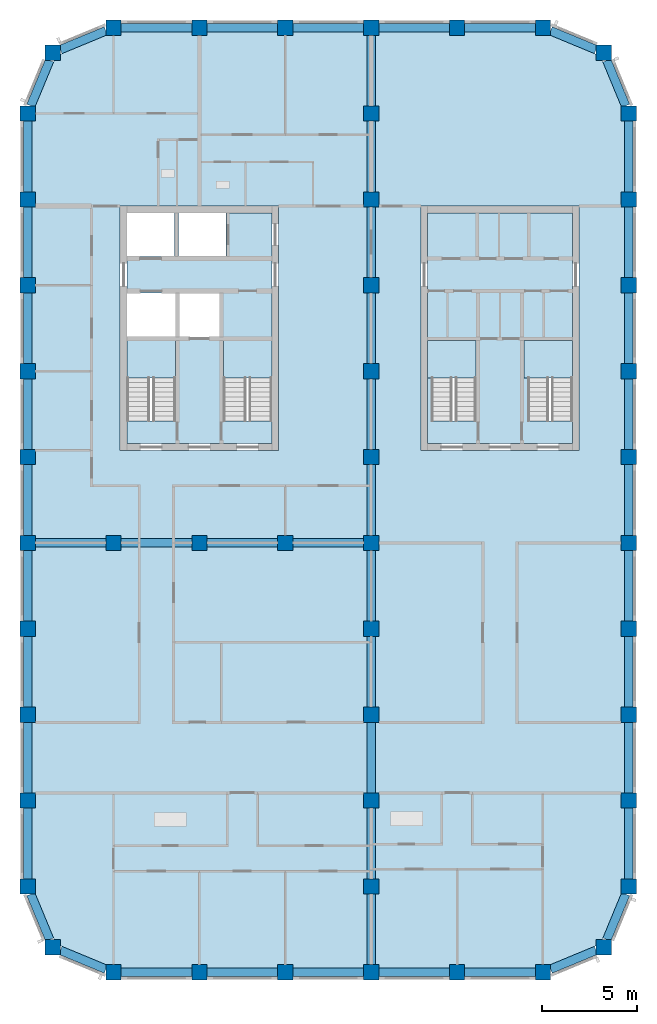
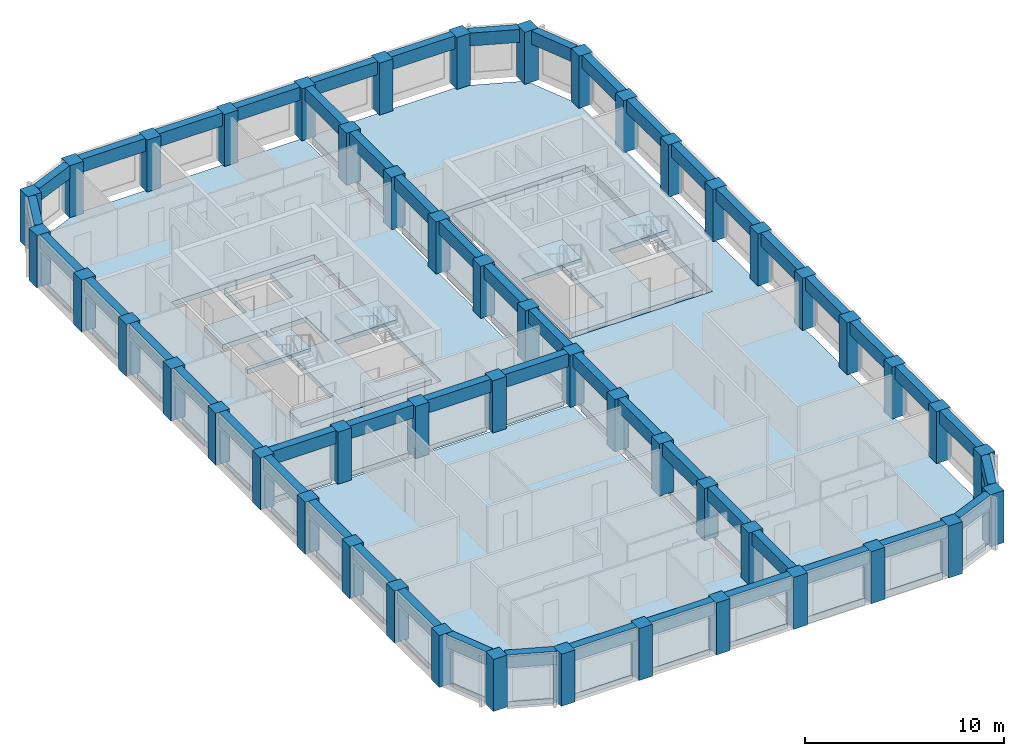
# One storey, part 1 of 10: 51 beams, 49 columns, 9 slabs, 4 elements without a shape of their own.
"""IFC4 building model written with IfcOpenShell, lengths in metres."""

import ifcopenshell
import ifcopenshell.guid

model = None  # the IFC model being written
_history = None  # IfcOwnerHistory: only IFC2X3 demands one
_inside = {}  # id of a spatial element -> (the spatial element, [elements in it])
_under = {}  # id of a project, library or spatial element -> (it, [spatial elements below it])
_declared = {}  # id of a project -> (the project, [libraries it declares])
_typed = {}  # id of a type object -> (the type object, [elements of that type])
_made_of = {}  # id of a material, layer set ... -> (it, [elements and type objects made of it])


def new_model(schema):
    """Start an empty IFC model of exactly this schema.

    Asked for "IFC4X3", IfcOpenShell would pick the latest addendum, in which some entities
    have other attributes; the version numbers below select the first issue.
    IFC2X3 requires an IfcOwnerHistory on every rooted entity: one is made here for all.
    """
    global model, _history
    if schema == "IFC4X3":
        model = ifcopenshell.file(schema_version=(4, 3, 0, 0))
    else:
        model = ifcopenshell.file(schema=schema)
    _inside.clear()
    _under.clear()
    _declared.clear()
    _typed.clear()
    _made_of.clear()
    _history = None
    if model.schema == "IFC2X3":
        org = make("IfcOrganization", Name="unknown")
        user = make(
            "IfcPersonAndOrganization",
            ThePerson=make("IfcPerson", FamilyName="unknown"),
            TheOrganization=org,
        )
        app = make(
            "IfcApplication",
            ApplicationDeveloper=org,
            Version="unknown",
            ApplicationFullName="unknown",
            ApplicationIdentifier="unknown",
        )
        _history = make(
            "IfcOwnerHistory",
            OwningUser=user,
            OwningApplication=app,
            ChangeAction="ADDED",
            CreationDate=0,
        )
    return model


def make(cls, **values):
    """One entity of the class cls with the attributes given. An attribute that is None is left unset."""
    return model.create_entity(
        cls, **{name: value for name, value in values.items() if value is not None}
    )


def rooted(cls, **values):
    """An entity with a GlobalId (a new one), such as an element, a storey or a relation."""
    return make(cls, GlobalId=ifcopenshell.guid.new(), OwnerHistory=_history, **values)


def si_unit(unit_type, name, prefix=None):
    """IfcSIUnit, for example si_unit("LENGTHUNIT", "METRE", prefix="MILLI")."""
    return make("IfcSIUnit", UnitType=unit_type, Prefix=prefix, Name=name)


def assignment(units):
    """IfcUnitAssignment: the units of a project."""
    return None if units is None else make("IfcUnitAssignment", Units=units)


def point(xyz):
    """IfcCartesianPoint."""
    return None if xyz is None else make("IfcCartesianPoint", Coordinates=xyz)


def direction(xyz):
    """IfcDirection."""
    return None if xyz is None else make("IfcDirection", DirectionRatios=xyz)


def frame(location, z_axis=None, x_axis=None):
    """IfcAxis2Placement3D, a coordinate frame: its origin and axes. An axis left out is left unset."""
    return make(
        "IfcAxis2Placement3D",
        Location=point(location),
        Axis=direction(z_axis),
        RefDirection=direction(x_axis),
    )


def frame_2d(location, x_axis=None):
    """IfcAxis2Placement2D, a coordinate frame in the plane: its origin and x axis."""
    return make(
        "IfcAxis2Placement2D", Location=point(location), RefDirection=direction(x_axis)
    )


def origin():
    """The frame at (0, 0, 0) with its axes left unset."""
    return frame((0.0, 0.0, 0.0))


def origin_2d():
    """The frame at (0, 0) in the plane with its x axis left unset."""
    return frame_2d((0.0, 0.0))


def place(relative_to, where):
    """IfcLocalPlacement: puts the frame where relative to a parent placement (None: the world)."""
    return make(
        "IfcLocalPlacement", PlacementRelTo=relative_to, RelativePlacement=where
    )


def context(
    kind, dimensions, precision=None, world=None, true_north=None, identifier=None
):
    """IfcGeometricRepresentationContext, for example the 3D "Model" context."""
    return make(
        "IfcGeometricRepresentationContext",
        ContextIdentifier=identifier,
        ContextType=kind,
        CoordinateSpaceDimension=dimensions,
        Precision=precision,
        WorldCoordinateSystem=world,
        TrueNorth=true_north,
    )


def subcontext(parent, identifier, kind, view, scale=None):
    """IfcGeometricRepresentationSubContext, for example "Body" below "Model"."""
    return make(
        "IfcGeometricRepresentationSubContext",
        ContextIdentifier=identifier,
        ContextType=kind,
        ParentContext=parent,
        TargetScale=scale,
        TargetView=view,
    )


def project(units=None, contexts=None):
    """IfcProject with its units and contexts."""
    return rooted(
        "IfcProject",
        Name="project",
        RepresentationContexts=contexts,
        UnitsInContext=assignment(units),
    )


def spatial(cls, under=None, at=None, **own):
    """A site, building, storey or space (cls), placed at a placement, below another one or the project."""
    s = rooted(cls, ObjectPlacement=at, **own)
    if under is not None:
        _under.setdefault(under.id(), (under, []))[1].append(s)
    return s


def polyline(points):
    """IfcPolyline through the points."""
    return make("IfcPolyline", Points=[point(p) for p in points])


def profile(cls, at=None, kind="AREA", **sizes):
    """A parametric profile (cls). Its sizes go by their IFC names, for example OverallWidth=200.0."""
    return make(cls, ProfileType=kind, Position=at, **sizes)


def rectangle(**sizes):
    """IfcRectangleProfileDef."""
    return profile("IfcRectangleProfileDef", **sizes)


def outline(outer, holes=None, kind="AREA"):
    """IfcArbitraryClosedProfileDef: a profile drawn as a closed curve; with holes, ...WithVoids."""
    if holes is None:
        return make("IfcArbitraryClosedProfileDef", ProfileType=kind, OuterCurve=outer)
    return make(
        "IfcArbitraryProfileDefWithVoids",
        ProfileType=kind,
        OuterCurve=outer,
        InnerCurves=holes,
    )


def extrude(swept, where, along, depth):
    """IfcExtrudedAreaSolid: the profile swept, set in the frame where, extruded along a direction by depth."""
    return make(
        "IfcExtrudedAreaSolid",
        SweptArea=swept,
        Position=where,
        ExtrudedDirection=direction(along),
        Depth=depth,
    )


def shape(context_of_items, identifier, shape_type, items):
    """IfcShapeRepresentation: the items that make up one representation, for example the "Body"."""
    return make(
        "IfcShapeRepresentation",
        ContextOfItems=context_of_items,
        RepresentationIdentifier=identifier,
        RepresentationType=shape_type,
        Items=items,
    )


def material(Name=None, Category=None):
    """IfcMaterial."""
    return make("IfcMaterial", Name=Name, Category=Category)


def layer(
    of_material, thickness, ventilated=None, Name=None, Category=None, Priority=None
):
    """IfcMaterialLayer: one layer of a wall or slab, of a material (None: an air gap)."""
    return make(
        "IfcMaterialLayer",
        Material=of_material,
        LayerThickness=thickness,
        IsVentilated=ventilated,
        Name=Name,
        Category=Category,
        Priority=Priority,
    )


def layer_set(layers, Name=None):
    """IfcMaterialLayerSet."""
    return make("IfcMaterialLayerSet", MaterialLayers=layers, LayerSetName=Name)


def material_profile(
    of_material, cross_section, Name=None, Category=None, Priority=None
):
    """IfcMaterialProfile: a cross section and its material."""
    return make(
        "IfcMaterialProfile",
        Name=Name,
        Material=of_material,
        Profile=cross_section,
        Priority=Priority,
        Category=Category,
    )


def profile_set(profiles, Name=None, composite=None):
    """IfcMaterialProfileSet."""
    return make(
        "IfcMaterialProfileSet",
        Name=Name,
        MaterialProfiles=profiles,
        CompositeProfile=composite,
    )


def made_of(thing, what):
    """Note that an element or type object is made of a material, layer set ...; save() writes the relation."""
    if what is not None:
        _made_of.setdefault(what.id(), (what, []))[1].append(thing)
    return thing


def type_object(cls, material=None, **own):
    """A type object (cls), such as IfcWallType, which elements share."""
    return made_of(rooted(cls, **own), material)


def element(
    cls,
    number,
    at=None,
    inside=None,
    cuts=None,
    type_object=None,
    material=None,
    context=None,
    identifier="Body",
    shape_type=None,
    held_by="IfcProductDefinitionShape",
    body=None,
    shapes=None,
    **own,
):
    """One element of the class cls, such as IfcWall. Its Tag is "e" and its number.

    at: its placement. inside: the storey or other place that contains it. cuts: it is an
    opening in that element (IfcRelVoidsElement). A single representation is given by context,
    identifier, shape_type and body (its items); several are given by shapes. held_by: the class
    of the entity that holds the representations. save() writes the other relations.
    """
    e = rooted(cls, Tag="e%d" % number, ObjectPlacement=at, **own)
    if body is not None:
        shapes = [shape(context, identifier, shape_type, body)]
    if shapes is not None:
        e.Representation = make(held_by, Representations=shapes)
    if inside is not None:
        _inside.setdefault(inside.id(), (inside, []))[1].append(e)
    if cuts is not None:
        rooted(
            "IfcRelVoidsElement", RelatingBuildingElement=cuts, RelatedOpeningElement=e
        )
    if type_object is not None:
        _typed.setdefault(type_object.id(), (type_object, []))[1].append(e)
    return made_of(e, material)


def aggregate(whole, parts):
    """IfcRelAggregates: a whole, such as a stair, and the parts it consists of."""
    return rooted("IfcRelAggregates", RelatingObject=whole, RelatedObjects=parts)


def save(model, path):
    """Write the relations noted so far, then the file.

    IfcRelAggregates (storeys below a building ...), IfcRelContainedInSpatialStructure (elements
    in a storey), IfcRelDefinesByType, IfcRelAssociatesMaterial and IfcRelDeclares: one each for
    every whole, place, type object, material and project.
    """
    for whole, parts in _under.values():
        aggregate(whole, parts)
    for where, things in _inside.values():
        rooted(
            "IfcRelContainedInSpatialStructure",
            RelatedElements=things,
            RelatingStructure=where,
        )
    for kind, things in _typed.values():
        rooted("IfcRelDefinesByType", RelatedObjects=things, RelatingType=kind)
    for what, things in _made_of.values():
        rooted("IfcRelAssociatesMaterial", RelatedObjects=things, RelatingMaterial=what)
    for by, libraries in _declared.values():
        rooted("IfcRelDeclares", RelatingContext=by, RelatedDefinitions=libraries)
    model.write(path)


model = new_model("IFC4")

# Units and contexts
model_context = context("Model", 3, precision=1e-05, world=origin(), true_north=direction((0.0, 1.0)))
body_context = subcontext(model_context, "Body", "Model", "MODEL_VIEW")
ifc_project = project(units=[si_unit("LENGTHUNIT", "METRE"), si_unit("AREAUNIT", "SQUARE_METRE"), si_unit("VOLUMEUNIT", "CUBIC_METRE"), si_unit("PLANEANGLEUNIT", "RADIAN"), si_unit("MASSUNIT", "GRAM", prefix="KILO")], contexts=[model_context])

# Site, building, storey
site_placement = place(None, origin())
site = spatial("IfcSite", under=ifc_project, at=site_placement, CompositionType="ELEMENT")
building_placement = place(site_placement, origin())
building = spatial("IfcBuilding", under=site, at=building_placement, Name="Girih Gate Residences", CompositionType="ELEMENT")
storey_placement = place(building_placement, frame((0.0, 0.0, 229.294921875)))
storey = spatial("IfcBuildingStorey", under=building, at=storey_placement, Name="L64", CompositionType="ELEMENT", Elevation=229.294921875)

# Columns
ifc_material_1 = material(Name="Concrete C60/75", Category="concrete")
ifc_material_profile_1 = material_profile(ifc_material_1, rectangle(XDim=0.800048828125, YDim=0.800048828125, at=origin_2d()))
ifc_profile_set_1 = profile_set([ifc_material_profile_1], Name="Concrete C60/75")
column_type = type_object("IfcColumnType", Name="Pier RC 800x800 Concrete C60/75", PredefinedType="COLUMN", material=ifc_profile_set_1)
for number, where, z_axis, x_axis, name in (
    (1, (4.5, 0.0, 0.0), (0.0, 0.0, 1.0), (1.0, 0.0, 0.0), "Pier P2A L64"),
    (2, (9.0, 0.0, 0.0), (0.0, 0.0, 1.0), (1.0, 0.0, 0.0), "Pier P3A L64"),
    (3, (13.5, 0.0, 0.0), (0.0, 0.0, 1.0), (1.0, 0.0, 0.0), "Pier P4A L64"),
    (4, (18.0, 0.0, 0.0), (0.0, 0.0, 1.0), (1.0, 0.0, 0.0), "Pier P5A L64"),
    (5, (22.5, 0.0, 0.0), (0.0, 0.0, 1.0), (1.0, 0.0, 0.0), "Pier P6A L64"),
    (6, (27.0, 0.0, 0.0), (0.0, 0.0, 1.0), (1.0, 0.0, 0.0), "Pier P7A L64"),
    (7, (1.318115234375, 1.318115234375, 0.0), (0.0, 0.0, 1.0), (1.0, 0.0, 0.0), "Pier P1ANE L64"),
    (8, (30.181884765625, 1.318115234375, 0.0), (0.0, 0.0, 1.0), (1.0, 0.0, 0.0), "Pier P8ANW L64"),
    (9, (0.0, 4.5, 0.0), (0.0, 0.0, 1.0), (1.0, 0.0, 0.0), "Pier P1B L64"),
    (10, (18.0, 4.5, 0.0), (0.0, 0.0, 1.0), (1.0, 0.0, 0.0), "Pier P5B L64"),
    (11, (31.5, 4.5, 0.0), (0.0, 0.0, 1.0), (1.0, 0.0, 0.0), "Pier P8B L64"),
    (12, (0.0, 9.0, 0.0), (0.0, 0.0, 1.0), (1.0, 0.0, 0.0), "Pier P1C L64"),
    (13, (18.0, 9.0, 0.0), (0.0, 0.0, 1.0), (1.0, 0.0, 0.0), "Pier P5C L64"),
    (14, (31.5, 9.0, 0.0), (0.0, 0.0, 1.0), (1.0, 0.0, 0.0), "Pier P8C L64"),
    (15, (0.0, 13.5, 0.0), (0.0, 0.0, 1.0), (1.0, 0.0, 0.0), "Pier P1D L64"),
    (16, (18.0, 13.5, 0.0), (0.0, 0.0, 1.0), (1.0, 0.0, 0.0), "Pier P5D L64"),
    (17, (31.5, 13.5, 0.0), (0.0, 0.0, 1.0), (1.0, 0.0, 0.0), "Pier P8D L64"),
    (18, (0.0, 18.0, 0.0), (0.0, 0.0, 1.0), (1.0, 0.0, 0.0), "Pier P1E L64"),
    (19, (18.0, 18.0, 0.0), (0.0, 0.0, 1.0), (1.0, 0.0, 0.0), "Pier P5E L64"),
    (20, (31.5, 18.0, 0.0), (0.0, 0.0, 1.0), (1.0, 0.0, 0.0), "Pier P8E L64"),
    (21, (0.0, 22.5, 0.0), (0.0, 0.0, 1.0), (1.0, 0.0, 0.0), "Pier P1F L64"),
    (22, (4.5, 22.5, 0.0), (0.0, 0.0, 1.0), (1.0, 0.0, 0.0), "Pier P2F L64"),
    (23, (9.0, 22.5, 0.0), (0.0, 0.0, 1.0), (1.0, 0.0, 0.0), "Pier P3F L64"),
    (24, (13.5, 22.5, 0.0), (0.0, 0.0, 1.0), (1.0, 0.0, 0.0), "Pier P4F L64"),
    (25, (18.0, 22.5, 0.0), (0.0, 0.0, 1.0), (1.0, 0.0, 0.0), "Pier P5F L64"),
    (26, (31.5, 22.5, 0.0), (0.0, 0.0, 1.0), (1.0, 0.0, 0.0), "Pier P8F L64"),
    (27, (0.0, 27.0, 0.0), (0.0, 0.0, 1.0), (1.0, 0.0, 0.0), "Pier P1G L64"),
    (28, (18.0, 27.0, 0.0), (0.0, 0.0, 1.0), (1.0, 0.0, 0.0), "Pier P5G L64"),
    (29, (31.5, 27.0, 0.0), (0.0, 0.0, 1.0), (1.0, 0.0, 0.0), "Pier P8G L64"),
    (30, (0.0, 31.5, 0.0), (0.0, 0.0, 1.0), (1.0, 0.0, 0.0), "Pier P1H L64"),
    (31, (18.0, 31.5, 0.0), (0.0, 0.0, 1.0), (1.0, 0.0, 0.0), "Pier P5H L64"),
    (32, (31.5, 31.5, 0.0), (0.0, 0.0, 1.0), (1.0, 0.0, 0.0), "Pier P8H L64"),
    (33, (0.0, 36.0, 0.0), (0.0, 0.0, 1.0), (1.0, 0.0, 0.0), "Pier P1I L64"),
    (34, (18.0, 36.0, 0.0), (0.0, 0.0, 1.0), (1.0, 0.0, 0.0), "Pier P5I L64"),
    (35, (31.5, 36.0, 0.0), (0.0, 0.0, 1.0), (1.0, 0.0, 0.0), "Pier P8I L64"),
    (36, (0.0, 40.5, 0.0), (0.0, 0.0, 1.0), (1.0, 0.0, 0.0), "Pier P1J L64"),
    (37, (18.0, 40.5, 0.0), (0.0, 0.0, 1.0), (1.0, 0.0, 0.0), "Pier P5J L64"),
    (38, (31.5, 40.5, 0.0), (0.0, 0.0, 1.0), (1.0, 0.0, 0.0), "Pier P8J L64"),
    (39, (0.0, 45.0, 0.0), (0.0, 0.0, 1.0), (1.0, 0.0, 0.0), "Pier P1K L64"),
    (40, (18.0, 45.0, 0.0), (0.0, 0.0, 1.0), (1.0, 0.0, 0.0), "Pier P5K L64"),
    (41, (31.5, 45.0, 0.0), (0.0, 0.0, 1.0), (1.0, 0.0, 0.0), "Pier P8K L64"),
    (42, (1.318115234375, 48.181884765625, 0.0), (0.0, 0.0, 1.0), (1.0, 0.0, 0.0), "Pier P1LSE L64"),
    (43, (30.181884765625, 48.181884765625, 0.0), (0.0, 0.0, 1.0), (1.0, 0.0, 0.0), "Pier P8LSW L64"),
    (44, (4.5, 49.5, 0.0), (0.0, 0.0, 1.0), (1.0, 0.0, 0.0), "Pier P2L L64"),
    (45, (9.0, 49.5, 0.0), (0.0, 0.0, 1.0), (1.0, 0.0, 0.0), "Pier P3L L64"),
    (46, (13.5, 49.5, 0.0), (0.0, 0.0, 1.0), (1.0, 0.0, 0.0), "Pier P4L L64"),
    (47, (18.0, 49.5, 0.0), (0.0, 0.0, 1.0), (1.0, 0.0, 0.0), "Pier P5L L64"),
    (48, (22.5, 49.5, 0.0), (0.0, 0.0, 1.0), (1.0, 0.0, 0.0), "Pier P6L L64"),
    (49, (27.0, 49.5, 0.0), (0.0, 0.0, 1.0), (1.0, 0.0, 0.0), "Pier P7L L64"),
):
    element("IfcColumn", number, at=place(storey_placement, frame(where, z_axis=z_axis, x_axis=x_axis)), inside=storey, type_object=column_type, Name=name, PredefinedType="COLUMN", context=body_context, shape_type="SweptSolid", body=[
        extrude(rectangle(XDim=0.800048828125, YDim=0.800048828125, at=origin_2d()), origin(), (0.0, 0.0, 1.0), 3.2001953125),
    ])

# Beams
ifc_material_profile_2 = material_profile(ifc_material_1, rectangle(XDim=0.449951171875, YDim=0.800048828125, at=origin_2d()))
ifc_profile_set_2 = profile_set([ifc_material_profile_2], Name="Concrete C60/75")
beam_type = type_object("IfcBeamType", Name="Spandrel girder RC 450x800 Concrete C60/75", PredefinedType="BEAM", material=ifc_profile_set_2)
for number, where, z_axis, x_axis, name in (
    (50, (27.39990234375, 0.165771484375, 2.800048828125), (0.923895659062, 0.382644497107, 0.0), (-0.382644497107, 0.923895659062, 0.0), "Spandrel girder SP-P7A-P8ANW L64"),
    (51, (30.34765625, 1.718017578125, 2.800048828125), (0.382644497107, 0.923895659062, 0.0), (-0.923895659062, 0.382644497107, 0.0), "Spandrel girder SP-P8ANW-P8B L64"),
):
    element("IfcBeam", number, at=place(storey_placement, frame(where, z_axis=z_axis, x_axis=x_axis)), inside=storey, type_object=beam_type, Name=name, PredefinedType="BEAM", context=body_context, shape_type="SweptSolid", body=[
        extrude(rectangle(XDim=0.449951171875, YDim=0.800048828125, at=origin_2d()), origin(), (0.0, 0.0, 1.0), 2.578369140625),
    ])
for number, where, z_axis, x_axis, name in (
    (52, (31.5, 4.89990234375, 2.800048828125), (0.0, 1.0, 0.0), (-1.0, 0.0, 0.0), "Spandrel girder SP-P8B-P8C L64"),
    (53, (31.5, 9.39990234375, 2.800048828125), (0.0, 1.0, 0.0), (-1.0, 0.0, 0.0), "Spandrel girder SP-P8C-P8D L64"),
    (54, (31.5, 13.89990234375, 2.800048828125), (0.0, 1.0, 0.0), (-1.0, 0.0, 0.0), "Spandrel girder SP-P8D-P8E L64"),
    (55, (31.5, 18.39990234375, 2.800048828125), (0.0, 1.0, 0.0), (-1.0, 0.0, 0.0), "Spandrel girder SP-P8E-P8F L64"),
    (56, (31.5, 22.89990234375, 2.800048828125), (0.0, 1.0, 0.0), (-1.0, 0.0, 0.0), "Spandrel girder SP-P8F-P8G L64"),
    (57, (31.5, 27.39990234375, 2.800048828125), (0.0, 1.0, 0.0), (-1.0, 0.0, 0.0), "Spandrel girder SP-P8G-P8H L64"),
    (58, (31.5, 31.89990234375, 2.800048828125), (0.0, 1.0, 0.0), (-1.0, 0.0, 0.0), "Spandrel girder SP-P8H-P8I L64"),
    (59, (31.5, 36.39990234375, 2.800048828125), (0.0, 1.0, 0.0), (-1.0, 0.0, 0.0), "Spandrel girder SP-P8I-P8J L64"),
    (60, (31.5, 40.89990234375, 2.800048828125), (0.0, 1.0, 0.0), (-1.0, 0.0, 0.0), "Spandrel girder SP-P8J-P8K L64"),
):
    element("IfcBeam", number, at=place(storey_placement, frame(where, z_axis=z_axis, x_axis=x_axis)), inside=storey, type_object=beam_type, Name=name, PredefinedType="BEAM", context=body_context, shape_type="SweptSolid", body=[
        extrude(rectangle(XDim=0.449951171875, YDim=0.800048828125, at=origin_2d()), origin(), (0.0, 0.0, 1.0), 3.7001953125),
    ])
for number, where, z_axis, x_axis, name in (
    (61, (31.334228515625, 45.39990234375, 2.800048828125), (-0.382644497107, 0.923895659062, 0.0), (-0.923895659062, -0.382644497107, 0.0), "Spandrel girder SP-P8K-P8LSW L64"),
    (62, (29.781982421875, 48.34765625, 2.800048828125), (-0.923895659062, 0.382644497107, 0.0), (-0.382644497107, -0.923895659062, 0.0), "Spandrel girder SP-P8LSW-P7L L64"),
):
    element("IfcBeam", number, at=place(storey_placement, frame(where, z_axis=z_axis, x_axis=x_axis)), inside=storey, type_object=beam_type, Name=name, PredefinedType="BEAM", context=body_context, shape_type="SweptSolid", body=[
        extrude(rectangle(XDim=0.449951171875, YDim=0.800048828125, at=origin_2d()), origin(), (0.0, 0.0, 1.0), 2.578369140625),
    ])
for number, where, z_axis, x_axis, name in (
    (63, (26.60009765625, 49.5, 2.800048828125), (-1.0, 0.0, 0.0), (0.0, -1.0, 0.0), "Spandrel girder SP-P7L-P6L L64"),
    (64, (22.10009765625, 49.5, 2.800048828125), (-1.0, 0.0, 0.0), (0.0, -1.0, 0.0), "Spandrel girder SP-P6L-P5L L64"),
    (65, (17.60009765625, 49.5, 2.800048828125), (-1.0, 0.0, 0.0), (0.0, -1.0, 0.0), "Spandrel girder SP-P5L-P4L L64"),
    (66, (13.10009765625, 49.5, 2.800048828125), (-1.0, 0.0, 0.0), (0.0, -1.0, 0.0), "Spandrel girder SP-P4L-P3L L64"),
    (67, (8.60009765625, 49.5, 2.800048828125), (-1.0, 0.0, 0.0), (0.0, -1.0, 0.0), "Spandrel girder SP-P3L-P2L L64"),
):
    element("IfcBeam", number, at=place(storey_placement, frame(where, z_axis=z_axis, x_axis=x_axis)), inside=storey, type_object=beam_type, Name=name, PredefinedType="BEAM", context=body_context, shape_type="SweptSolid", body=[
        extrude(rectangle(XDim=0.449951171875, YDim=0.800048828125, at=origin_2d()), origin(), (0.0, 0.0, 1.0), 3.7001953125),
    ])
for number, where, z_axis, x_axis, name in (
    (68, (4.10009765625, 49.334228515625, 2.800048828125), (-0.923895659062, -0.382644497107, 0.0), (0.382644497107, -0.923895659062, 0.0), "Spandrel girder SP-P2L-P1LSE L64"),
    (69, (1.15234375, 47.781982421875, 2.800048828125), (-0.382644497107, -0.923895659062, 0.0), (0.923895659062, -0.382644497107, 0.0), "Spandrel girder SP-P1LSE-P1K L64"),
):
    element("IfcBeam", number, at=place(storey_placement, frame(where, z_axis=z_axis, x_axis=x_axis)), inside=storey, type_object=beam_type, Name=name, PredefinedType="BEAM", context=body_context, shape_type="SweptSolid", body=[
        extrude(rectangle(XDim=0.449951171875, YDim=0.800048828125, at=origin_2d()), origin(), (0.0, 0.0, 1.0), 2.578369140625),
    ])
for number, where, z_axis, x_axis, name in (
    (70, (0.0, 44.60009765625, 2.800048828125), (0.0, -1.0, 0.0), (1.0, 0.0, 0.0), "Spandrel girder SP-P1K-P1J L64"),
    (71, (0.0, 40.10009765625, 2.800048828125), (0.0, -1.0, 0.0), (1.0, 0.0, 0.0), "Spandrel girder SP-P1J-P1I L64"),
    (72, (0.0, 35.60009765625, 2.800048828125), (0.0, -1.0, 0.0), (1.0, 0.0, 0.0), "Spandrel girder SP-P1I-P1H L64"),
    (73, (0.0, 31.10009765625, 2.800048828125), (0.0, -1.0, 0.0), (1.0, 0.0, 0.0), "Spandrel girder SP-P1H-P1G L64"),
    (74, (0.0, 26.60009765625, 2.800048828125), (0.0, -1.0, 0.0), (1.0, 0.0, 0.0), "Spandrel girder SP-P1G-P1F L64"),
    (75, (0.0, 22.10009765625, 2.800048828125), (0.0, -1.0, 0.0), (1.0, 0.0, 0.0), "Spandrel girder SP-P1F-P1E L64"),
    (76, (0.0, 17.60009765625, 2.800048828125), (0.0, -1.0, 0.0), (1.0, 0.0, 0.0), "Spandrel girder SP-P1E-P1D L64"),
    (77, (0.0, 13.10009765625, 2.800048828125), (0.0, -1.0, 0.0), (1.0, 0.0, 0.0), "Spandrel girder SP-P1D-P1C L64"),
    (78, (0.0, 8.60009765625, 2.800048828125), (0.0, -1.0, 0.0), (1.0, 0.0, 0.0), "Spandrel girder SP-P1C-P1B L64"),
):
    element("IfcBeam", number, at=place(storey_placement, frame(where, z_axis=z_axis, x_axis=x_axis)), inside=storey, type_object=beam_type, Name=name, PredefinedType="BEAM", context=body_context, shape_type="SweptSolid", body=[
        extrude(rectangle(XDim=0.449951171875, YDim=0.800048828125, at=origin_2d()), origin(), (0.0, 0.0, 1.0), 3.7001953125),
    ])
for number, where, z_axis, x_axis, name in (
    (79, (0.165771484375, 4.10009765625, 2.800048828125), (0.382644497107, -0.923895659062, 0.0), (0.923895659062, 0.382644497107, 0.0), "Spandrel girder SP-P1B-P1ANE L64"),
    (80, (1.718017578125, 1.15234375, 2.800048828125), (0.923895659062, -0.382644497107, 0.0), (0.382644497107, 0.923895659062, 0.0), "Spandrel girder SP-P1ANE-P2A L64"),
):
    element("IfcBeam", number, at=place(storey_placement, frame(where, z_axis=z_axis, x_axis=x_axis)), inside=storey, type_object=beam_type, Name=name, PredefinedType="BEAM", context=body_context, shape_type="SweptSolid", body=[
        extrude(rectangle(XDim=0.449951171875, YDim=0.800048828125, at=origin_2d()), origin(), (0.0, 0.0, 1.0), 2.578369140625),
    ])
for number, where, z_axis, x_axis, name in (
    (81, (4.89990234375, 0.0, 2.800048828125), (1.0, 0.0, 0.0), (0.0, 1.0, 0.0), "Spandrel girder SP-P2A-P3A L64"),
    (82, (9.39990234375, 0.0, 2.800048828125), (1.0, 0.0, 0.0), (0.0, 1.0, 0.0), "Spandrel girder SP-P3A-P4A L64"),
    (83, (13.89990234375, 0.0, 2.800048828125), (1.0, 0.0, 0.0), (0.0, 1.0, 0.0), "Spandrel girder SP-P4A-P5A L64"),
    (84, (18.39990234375, 0.0, 2.800048828125), (1.0, 0.0, 0.0), (0.0, 1.0, 0.0), "Spandrel girder SP-P5A-P6A L64"),
    (85, (22.89990234375, 0.0, 2.800048828125), (1.0, 0.0, 0.0), (0.0, 1.0, 0.0), "Spandrel girder SP-P6A-P7A L64"),
    (86, (18.0, 0.39990234375, 2.800048828125), (0.0, 1.0, 0.0), (-1.0, 0.0, 0.0), "Spandrel girder SP-P5A-P5B L64"),
    (87, (18.0, 4.89990234375, 2.800048828125), (0.0, 1.0, 0.0), (-1.0, 0.0, 0.0), "Spandrel girder SP-P5B-P5C L64"),
    (88, (18.0, 9.39990234375, 2.800048828125), (0.0, 1.0, 0.0), (-1.0, 0.0, 0.0), "Spandrel girder SP-P5C-P5D L64"),
    (89, (18.0, 13.89990234375, 2.800048828125), (0.0, 1.0, 0.0), (-1.0, 0.0, 0.0), "Spandrel girder SP-P5D-P5E L64"),
    (90, (18.0, 18.39990234375, 2.800048828125), (0.0, 1.0, 0.0), (-1.0, 0.0, 0.0), "Spandrel girder SP-P5E-P5F L64"),
    (91, (18.0, 22.89990234375, 2.800048828125), (0.0, 1.0, 0.0), (-1.0, 0.0, 0.0), "Spandrel girder SP-P5F-P5G L64"),
    (92, (18.0, 27.39990234375, 2.800048828125), (0.0, 1.0, 0.0), (-1.0, 0.0, 0.0), "Spandrel girder SP-P5G-P5H L64"),
    (93, (18.0, 31.89990234375, 2.800048828125), (0.0, 1.0, 0.0), (-1.0, 0.0, 0.0), "Spandrel girder SP-P5H-P5I L64"),
    (94, (18.0, 36.39990234375, 2.800048828125), (0.0, 1.0, 0.0), (-1.0, 0.0, 0.0), "Spandrel girder SP-P5I-P5J L64"),
    (95, (18.0, 40.89990234375, 2.800048828125), (0.0, 1.0, 0.0), (-1.0, 0.0, 0.0), "Spandrel girder SP-P5J-P5K L64"),
    (96, (18.0, 45.39990234375, 2.800048828125), (0.0, 1.0, 0.0), (-1.0, 0.0, 0.0), "Spandrel girder SP-P5K-P5L L64"),
    (97, (0.39990234375, 22.5, 2.800048828125), (1.0, 0.0, 0.0), (0.0, 1.0, 0.0), "Spandrel girder SP-P1F-P2F L64"),
    (98, (4.89990234375, 22.5, 2.800048828125), (1.0, 0.0, 0.0), (0.0, 1.0, 0.0), "Spandrel girder SP-P2F-P3F L64"),
    (99, (9.39990234375, 22.5, 2.800048828125), (1.0, 0.0, 0.0), (0.0, 1.0, 0.0), "Spandrel girder SP-P3F-P4F L64"),
    (100, (13.89990234375, 22.5, 2.800048828125), (1.0, 0.0, 0.0), (0.0, 1.0, 0.0), "Spandrel girder SP-P4F-P5F L64"),
):
    element("IfcBeam", number, at=place(storey_placement, frame(where, z_axis=z_axis, x_axis=x_axis)), inside=storey, type_object=beam_type, Name=name, PredefinedType="BEAM", context=body_context, shape_type="SweptSolid", body=[
        extrude(rectangle(XDim=0.449951171875, YDim=0.800048828125, at=origin_2d()), origin(), (0.0, 0.0, 1.0), 3.7001953125),
    ])

# Slabs
ifc_material_2 = material(Name="Concrete C40/50", Category="concrete")
ifc_layer_1 = layer(ifc_material_2, 0.300048828125)
ifc_layer_set_1 = layer_set([ifc_layer_1], Name="Core floor slab 300")
slab_type_1 = type_object("IfcSlabType", Name="Core floor slab 300", PredefinedType="FLOOR", material=ifc_layer_set_1)
slab_1_placement = place(storey_placement, frame((0.0, 0.0, -0.2998046875)))
element("IfcSlab", 101, at=slab_1_placement, inside=storey, type_object=slab_type_1, Name="L64 W core floor", PredefinedType="FLOOR", context=body_context, shape_type="SweptSolid", body=[
    extrude(outline(polyline([(12.800048828125, 27.699951171875), (5.199951171875, 27.699951171875), (5.199951171875, 28.900634765625), (7.75, 28.900634765625), (7.75, 33.10009765625), (5.199951171875, 33.10009765625), (5.199951171875, 33.300048828125), (7.75, 33.300048828125), (7.75, 35.60009765625), (5.199951171875, 35.60009765625), (5.199951171875, 37.5), (7.699951171875, 37.5), (7.699951171875, 39.800048828125), (7.89990234375, 39.800048828125), (7.89990234375, 37.5), (10.39990234375, 37.5), (10.39990234375, 39.800048828125), (12.800048828125, 39.800048828125), (12.800048828125, 33.10009765625), (10.25, 33.10009765625), (10.25, 28.900634765625), (12.800048828125, 28.900634765625), (12.800048828125, 27.699951171875)]), holes=[polyline([(7.949951171875, 33.300048828125), (10.050048828125, 33.300048828125), (10.050048828125, 35.60009765625), (7.949951171875, 35.60009765625), (7.949951171875, 33.300048828125)])]), origin(), (0.0, 0.0, 1.0), 0.2998046875),
])
slab_2_placement = place(storey_placement, frame((0.0, 0.0, -0.2998046875)))
element("IfcSlab", 102, at=slab_2_placement, inside=storey, type_object=slab_type_1, Name="L64 C core floor", PredefinedType="FLOOR", context=body_context, shape_type="SweptSolid", body=[
    extrude(outline(polyline([(28.550048828125, 27.699951171875), (20.949951171875, 27.699951171875), (20.949951171875, 39.800048828125), (28.550048828125, 39.800048828125), (28.550048828125, 33.10009765625), (26.199951171875, 33.10009765625), (26.199951171875, 28.900634765625), (28.550048828125, 28.900634765625), (28.550048828125, 27.699951171875)]), holes=[polyline([(23.5, 28.900634765625), (23.5, 33.10009765625), (21.14990234375, 33.10009765625), (21.14990234375, 28.900634765625), (23.5, 28.900634765625)])]), origin(), (0.0, 0.0, 1.0), 0.2998046875),
])
ifc_layer_2 = layer(ifc_material_2, 0.300048828125)
ifc_layer_set_2 = layer_set([ifc_layer_2], Name="Floor slab PT 300 Concrete C40/50")
slab_type_2 = type_object("IfcSlabType", Name="Floor slab PT 300 Concrete C40/50", PredefinedType="FLOOR", material=ifc_layer_set_2)
slab_3_placement = place(storey_placement, frame((0.0, 0.0, -0.2998046875)))
element("IfcSlab", 103, at=slab_3_placement, inside=storey, type_object=slab_type_2, Name="Floor slab L64 0", PredefinedType="FLOOR", context=body_context, shape_type="SweptSolid", body=[
    extrude(outline(polyline([(13.89990234375, 0.22509765625), (17.60009765625, 0.22509765625), (17.60009765625, 0.39990234375), (17.77490234375, 0.39990234375), (17.77490234375, 4.10009765625), (17.60009765625, 4.10009765625), (17.60009765625, 4.89990234375), (17.77490234375, 4.89990234375), (17.77490234375, 8.60009765625), (17.60009765625, 8.60009765625), (17.60009765625, 9.39990234375), (17.77490234375, 9.39990234375), (17.77490234375, 13.10009765625), (17.60009765625, 13.10009765625), (17.60009765625, 13.89990234375), (17.77490234375, 13.89990234375), (17.77490234375, 17.60009765625), (17.60009765625, 17.60009765625), (17.60009765625, 18.39990234375), (17.77490234375, 18.39990234375), (17.77490234375, 22.10009765625), (17.60009765625, 22.10009765625), (17.60009765625, 22.27490234375), (13.89990234375, 22.27490234375), (13.89990234375, 22.10009765625), (13.10009765625, 22.10009765625), (13.10009765625, 22.27490234375), (9.39990234375, 22.27490234375), (9.39990234375, 22.10009765625), (8.60009765625, 22.10009765625), (8.60009765625, 22.27490234375), (4.89990234375, 22.27490234375), (4.89990234375, 22.10009765625), (4.10009765625, 22.10009765625), (4.10009765625, 22.27490234375), (0.39990234375, 22.27490234375), (0.39990234375, 22.10009765625), (0.22509765625, 22.10009765625), (0.22509765625, 18.39990234375), (0.39990234375, 18.39990234375), (0.39990234375, 17.60009765625), (0.22509765625, 17.60009765625), (0.22509765625, 13.89990234375), (0.39990234375, 13.89990234375), (0.39990234375, 13.10009765625), (0.22509765625, 13.10009765625), (0.22509765625, 9.39990234375), (0.39990234375, 9.39990234375), (0.39990234375, 8.60009765625), (0.22509765625, 8.60009765625), (0.22509765625, 4.89990234375), (0.39990234375, 4.89990234375), (0.39990234375, 4.122314453125), (1.395751953125, 1.718017578125), (1.718017578125, 1.718017578125), (1.718017578125, 1.395751953125), (4.122314453125, 0.39990234375), (4.89990234375, 0.39990234375), (4.89990234375, 0.22509765625), (8.60009765625, 0.22509765625), (8.60009765625, 0.39990234375), (9.39990234375, 0.39990234375), (9.39990234375, 0.22509765625), (13.10009765625, 0.22509765625), (13.10009765625, 0.39990234375), (13.89990234375, 0.39990234375), (13.89990234375, 0.22509765625)])), origin(), (0.0, 0.0, 1.0), 0.2998046875),
])
slab_4_placement = place(storey_placement, frame((0.0, 0.0, -0.2998046875)))
element("IfcSlab", 104, at=slab_4_placement, inside=storey, type_object=slab_type_2, Name="Floor slab L64 2", PredefinedType="FLOOR", context=body_context, shape_type="SweptSolid", body=[
    extrude(outline(polyline([(0.22509765625, 26.60009765625), (0.22509765625, 22.89990234375), (0.39990234375, 22.89990234375), (0.39990234375, 22.72509765625), (4.10009765625, 22.72509765625), (4.10009765625, 22.89990234375), (4.89990234375, 22.89990234375), (4.89990234375, 22.72509765625), (8.60009765625, 22.72509765625), (8.60009765625, 22.89990234375), (9.39990234375, 22.89990234375), (9.39990234375, 22.72509765625), (13.10009765625, 22.72509765625), (13.10009765625, 22.89990234375), (13.89990234375, 22.89990234375), (13.89990234375, 22.72509765625), (17.60009765625, 22.72509765625), (17.60009765625, 22.89990234375), (17.77490234375, 22.89990234375), (17.77490234375, 26.60009765625), (17.60009765625, 26.60009765625), (17.60009765625, 27.39990234375), (17.77490234375, 27.39990234375), (17.77490234375, 31.10009765625), (17.60009765625, 31.10009765625), (17.60009765625, 31.89990234375), (17.77490234375, 31.89990234375), (17.77490234375, 35.60009765625), (17.60009765625, 35.60009765625), (17.60009765625, 36.39990234375), (17.77490234375, 36.39990234375), (17.77490234375, 40.10009765625), (17.60009765625, 40.10009765625), (17.60009765625, 40.89990234375), (17.77490234375, 40.89990234375), (17.77490234375, 44.60009765625), (17.60009765625, 44.60009765625), (17.60009765625, 45.39990234375), (17.77490234375, 45.39990234375), (17.77490234375, 49.10009765625), (17.60009765625, 49.10009765625), (17.60009765625, 49.27490234375), (13.89990234375, 49.27490234375), (13.89990234375, 49.10009765625), (13.10009765625, 49.10009765625), (13.10009765625, 49.27490234375), (9.39990234375, 49.27490234375), (9.39990234375, 49.10009765625), (8.60009765625, 49.10009765625), (8.60009765625, 49.27490234375), (4.89990234375, 49.27490234375), (4.89990234375, 49.10009765625), (4.122314453125, 49.10009765625), (1.718017578125, 48.104248046875), (1.718017578125, 47.781982421875), (1.395751953125, 47.781982421875), (0.39990234375, 45.377685546875), (0.39990234375, 44.60009765625), (0.22509765625, 44.60009765625), (0.22509765625, 40.89990234375), (0.39990234375, 40.89990234375), (0.39990234375, 40.10009765625), (0.22509765625, 40.10009765625), (0.22509765625, 36.39990234375), (0.39990234375, 36.39990234375), (0.39990234375, 35.60009765625), (0.22509765625, 35.60009765625), (0.22509765625, 31.89990234375), (0.39990234375, 31.89990234375), (0.39990234375, 31.10009765625), (0.22509765625, 31.10009765625), (0.22509765625, 27.39990234375), (0.39990234375, 27.39990234375), (0.39990234375, 26.60009765625), (0.22509765625, 26.60009765625)]), holes=[polyline([(13.14990234375, 40.14990234375), (13.14990234375, 27.35009765625), (4.85009765625, 27.35009765625), (4.85009765625, 40.14990234375), (13.14990234375, 40.14990234375)])]), origin(), (0.0, 0.0, 1.0), 0.2998046875),
])
ifc_layer_3 = layer(ifc_material_2, 0.449951171875)
ifc_layer_set_3 = layer_set([ifc_layer_3], Name="Floor slab PT 450 Concrete C40/50")
slab_type_3 = type_object("IfcSlabType", Name="Floor slab PT 450 Concrete C40/50", PredefinedType="FLOOR", material=ifc_layer_set_3)
slab_5_placement = place(storey_placement, frame((0.0, 0.0, -0.449951171875)))
element("IfcSlab", 105, at=slab_5_placement, inside=storey, type_object=slab_type_3, Name="Floor slab L64 1", PredefinedType="FLOOR", context=body_context, shape_type="SweptSolid", body=[
    extrude(outline(polyline([(22.89990234375, 0.22509765625), (26.60009765625, 0.22509765625), (26.60009765625, 0.39990234375), (27.377685546875, 0.39990234375), (29.781982421875, 1.395751953125), (29.781982421875, 1.718017578125), (30.104248046875, 1.718017578125), (31.10009765625, 4.122314453125), (31.10009765625, 4.89990234375), (31.27490234375, 4.89990234375), (31.27490234375, 8.60009765625), (31.10009765625, 8.60009765625), (31.10009765625, 9.39990234375), (31.27490234375, 9.39990234375), (31.27490234375, 13.10009765625), (31.10009765625, 13.10009765625), (31.10009765625, 13.89990234375), (31.27490234375, 13.89990234375), (31.27490234375, 17.60009765625), (31.10009765625, 17.60009765625), (31.10009765625, 18.39990234375), (31.27490234375, 18.39990234375), (31.27490234375, 22.10009765625), (31.10009765625, 22.10009765625), (31.10009765625, 22.89990234375), (31.27490234375, 22.89990234375), (31.27490234375, 26.60009765625), (31.10009765625, 26.60009765625), (31.10009765625, 27.39990234375), (31.27490234375, 27.39990234375), (31.27490234375, 31.10009765625), (31.10009765625, 31.10009765625), (31.10009765625, 31.89990234375), (31.27490234375, 31.89990234375), (31.27490234375, 35.60009765625), (31.10009765625, 35.60009765625), (31.10009765625, 36.39990234375), (31.27490234375, 36.39990234375), (31.27490234375, 40.10009765625), (31.10009765625, 40.10009765625), (31.10009765625, 40.89990234375), (31.27490234375, 40.89990234375), (31.27490234375, 44.60009765625), (31.10009765625, 44.60009765625), (31.10009765625, 45.377685546875), (30.104248046875, 47.781982421875), (29.781982421875, 47.781982421875), (29.781982421875, 48.104248046875), (27.377685546875, 49.10009765625), (26.60009765625, 49.10009765625), (26.60009765625, 49.27490234375), (22.89990234375, 49.27490234375), (22.89990234375, 49.10009765625), (22.10009765625, 49.10009765625), (22.10009765625, 49.27490234375), (18.39990234375, 49.27490234375), (18.39990234375, 49.10009765625), (18.22509765625, 49.10009765625), (18.22509765625, 45.39990234375), (18.39990234375, 45.39990234375), (18.39990234375, 44.60009765625), (18.22509765625, 44.60009765625), (18.22509765625, 40.89990234375), (18.39990234375, 40.89990234375), (18.39990234375, 40.10009765625), (18.22509765625, 40.10009765625), (18.22509765625, 36.39990234375), (18.39990234375, 36.39990234375), (18.39990234375, 35.60009765625), (18.22509765625, 35.60009765625), (18.22509765625, 31.89990234375), (18.39990234375, 31.89990234375), (18.39990234375, 31.10009765625), (18.22509765625, 31.10009765625), (18.22509765625, 27.39990234375), (18.39990234375, 27.39990234375), (18.39990234375, 26.60009765625), (18.22509765625, 26.60009765625), (18.22509765625, 22.89990234375), (18.39990234375, 22.89990234375), (18.39990234375, 22.10009765625), (18.22509765625, 22.10009765625), (18.22509765625, 18.39990234375), (18.39990234375, 18.39990234375), (18.39990234375, 17.60009765625), (18.22509765625, 17.60009765625), (18.22509765625, 13.89990234375), (18.39990234375, 13.89990234375), (18.39990234375, 13.10009765625), (18.22509765625, 13.10009765625), (18.22509765625, 9.39990234375), (18.39990234375, 9.39990234375), (18.39990234375, 8.60009765625), (18.22509765625, 8.60009765625), (18.22509765625, 4.89990234375), (18.39990234375, 4.89990234375), (18.39990234375, 4.10009765625), (18.22509765625, 4.10009765625), (18.22509765625, 0.39990234375), (18.39990234375, 0.39990234375), (18.39990234375, 0.22509765625), (22.10009765625, 0.22509765625), (22.10009765625, 0.39990234375), (22.89990234375, 0.39990234375), (22.89990234375, 0.22509765625)]), holes=[polyline([(28.89990234375, 40.14990234375), (28.89990234375, 27.35009765625), (20.60009765625, 27.35009765625), (20.60009765625, 40.14990234375), (28.89990234375, 40.14990234375)])]), origin(), (0.0, 0.0, 1.0), 0.449951171875),
])

# Stair, slab
stair_type_1 = type_object("IfcStairType", Name="Exit stair", PredefinedType="HALF_TURN_STAIR", material=ifc_material_2)
stair_1_placement = place(storey_placement, origin())
stair_1 = element("IfcStair", 106, at=stair_1_placement, inside=storey, type_object=stair_type_1, Name="L64 Exit Stair ST-W1", PredefinedType="HALF_TURN_STAIR")
ifc_layer_4 = layer(ifc_material_2, 0.199951171875)
ifc_layer_set_4 = layer_set([ifc_layer_4], Name="Stair landing 200")
slab_type_4 = type_object("IfcSlabType", Name="Stair landing 200", PredefinedType="LANDING", material=ifc_layer_set_4)
slab_6_placement = place(storey_placement, frame((0.0, 0.0, 1.400146484375)))
slab_6 = element("IfcSlab", 107, at=slab_6_placement, type_object=slab_type_4, Name="ST-W1 landing 1", PredefinedType="LANDING", context=body_context, shape_type="SweptSolid", body=[
    extrude(outline(polyline([(7.75, 31.14990234375), (7.75, 33.10009765625), (5.199951171875, 33.10009765625), (5.199951171875, 31.14990234375), (7.75, 31.14990234375)])), origin(), (0.0, 0.0, 1.0), 0.199951171875),
])
aggregate(stair_1, [slab_6])

stair_2_placement = place(storey_placement, origin())
stair_2 = element("IfcStair", 108, at=stair_2_placement, inside=storey, type_object=stair_type_1, Name="L64 Exit Stair ST-W2", PredefinedType="HALF_TURN_STAIR")
slab_7_placement = place(storey_placement, frame((0.0, 0.0, 1.400146484375)))
slab_7 = element("IfcSlab", 109, at=slab_7_placement, type_object=slab_type_4, Name="ST-W2 landing 1", PredefinedType="LANDING", context=body_context, shape_type="SweptSolid", body=[
    extrude(outline(polyline([(12.800048828125, 31.14990234375), (12.800048828125, 33.10009765625), (10.25, 33.10009765625), (10.25, 31.14990234375), (12.800048828125, 31.14990234375)])), origin(), (0.0, 0.0, 1.0), 0.199951171875),
])
aggregate(stair_2, [slab_7])

stair_type_2 = type_object("IfcStairType", Name="Exit stair C core", PredefinedType="HALF_TURN_STAIR", material=ifc_material_2)
stair_3_placement = place(storey_placement, origin())
stair_3 = element("IfcStair", 110, at=stair_3_placement, inside=storey, type_object=stair_type_2, Name="L64 Exit Stair ST-C1", PredefinedType="HALF_TURN_STAIR")
slab_8_placement = place(storey_placement, frame((0.0, 0.0, 1.400146484375)))
slab_8 = element("IfcSlab", 111, at=slab_8_placement, type_object=slab_type_4, Name="ST-C1 landing 1", PredefinedType="LANDING", context=body_context, shape_type="SweptSolid", body=[
    extrude(outline(polyline([(23.5, 31.14990234375), (23.5, 33.10009765625), (20.949951171875, 33.10009765625), (20.949951171875, 31.14990234375), (23.5, 31.14990234375)])), origin(), (0.0, 0.0, 1.0), 0.199951171875),
])
aggregate(stair_3, [slab_8])

stair_4_placement = place(storey_placement, origin())
stair_4 = element("IfcStair", 112, at=stair_4_placement, inside=storey, type_object=stair_type_2, Name="L64 Exit Stair ST-C2", PredefinedType="HALF_TURN_STAIR")
slab_9_placement = place(storey_placement, frame((0.0, 0.0, 1.400146484375)))
slab_9 = element("IfcSlab", 113, at=slab_9_placement, type_object=slab_type_4, Name="ST-C2 landing 1", PredefinedType="LANDING", context=body_context, shape_type="SweptSolid", body=[
    extrude(outline(polyline([(28.550048828125, 31.14990234375), (28.550048828125, 33.10009765625), (26.0, 33.10009765625), (26.0, 31.14990234375), (28.550048828125, 31.14990234375)])), origin(), (0.0, 0.0, 1.0), 0.199951171875),
])
aggregate(stair_4, [slab_9])

save(model, "model.ifc")
